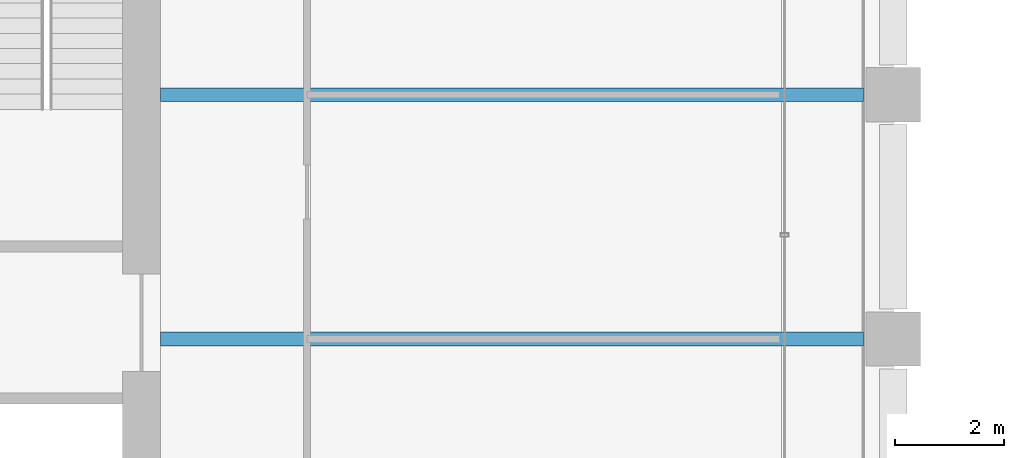
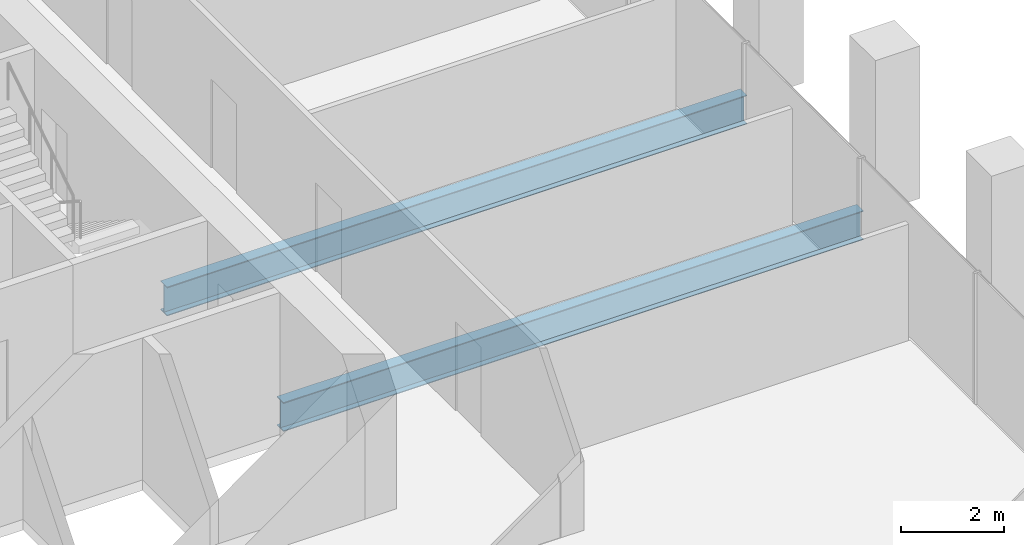
# One storey, part 16 of 52: 2 beams.
"""IFC4 building model written with IfcOpenShell, lengths in metres."""

from ifc_helpers import new_model, si_unit, direction, frame, origin, origin_2d, place, context, subcontext, project, spatial, i_section, extrude, material, material_profile, profile_set, type_object, element, save


model = new_model("IFC4")

# Units and contexts
model_context = context("Model", 3, precision=1e-05, world=origin(), true_north=direction((0.0, 1.0)))
body_context = subcontext(model_context, "Body", "Model", "MODEL_VIEW")
ifc_project = project(units=[si_unit("LENGTHUNIT", "METRE"), si_unit("AREAUNIT", "SQUARE_METRE"), si_unit("VOLUMEUNIT", "CUBIC_METRE"), si_unit("PLANEANGLEUNIT", "RADIAN"), si_unit("MASSUNIT", "GRAM", prefix="KILO")], contexts=[model_context])

# Site, building, storey
site_placement = place(None, origin())
site = spatial("IfcSite", under=ifc_project, at=site_placement, CompositionType="ELEMENT")
building_placement = place(site_placement, origin())
building = spatial("IfcBuilding", under=site, at=building_placement, Name="Altepetl Exchange Towers", CompositionType="ELEMENT")
storey_placement = place(building_placement, frame((0.0, 0.0, 92.0)))
storey = spatial("IfcBuildingStorey", under=building, at=storey_placement, Name="L22", CompositionType="ELEMENT", Elevation=92.0)

# Beams
ifc_material = material(Name="Steel S355", Category="steel")
ifc_material_profile = material_profile(ifc_material, i_section(OverallWidth=0.25390625, OverallDepth=0.68408203125, WebThickness=0.012451171875, FlangeThickness=0.018798828125, at=origin_2d()), Name="W27X94")
ifc_profile_set = profile_set([ifc_material_profile], Name="Steel S355")
beam_type = type_object("IfcBeamType", Name="Floor beam W27X94", PredefinedType="BEAM", material=ifc_profile_set)
for number, where, z_axis, x_axis, name in (
    (1, (58.5, 45.0, -0.491943359375), (1.0, 0.0, 0.0), (0.0, 1.0, 0.0), "bm:A:L22:009"),
    (2, (58.5, 49.5, -0.491943359375), (1.0, 0.0, 0.0), (0.0, 1.0, 0.0), "bm:A:L22:010"),
):
    element("IfcBeam", number, at=place(storey_placement, frame(where, z_axis=z_axis, x_axis=x_axis)), inside=storey, type_object=beam_type, Name=name, PredefinedType="BEAM", context=body_context, shape_type="SweptSolid", body=[
        extrude(i_section(OverallWidth=0.25390625, OverallDepth=0.68408203125, WebThickness=0.012451171875, FlangeThickness=0.018798828125, at=origin_2d()), origin(), (0.0, 0.0, 1.0), 12.949951171875),
    ])

save(model, "model.ifc")
